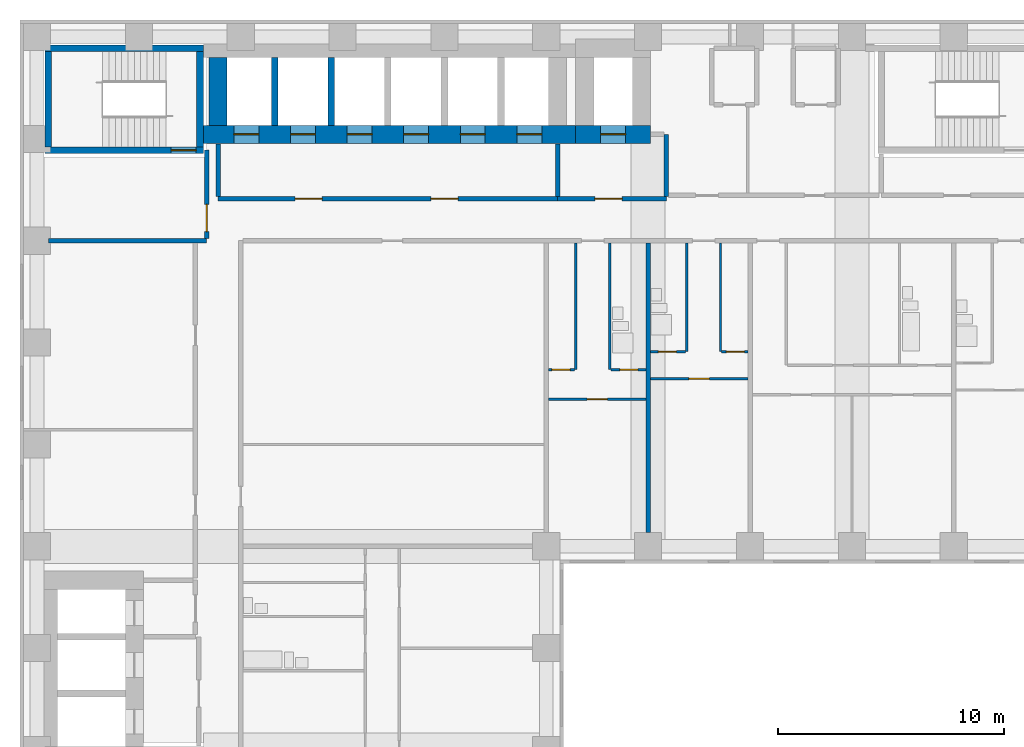
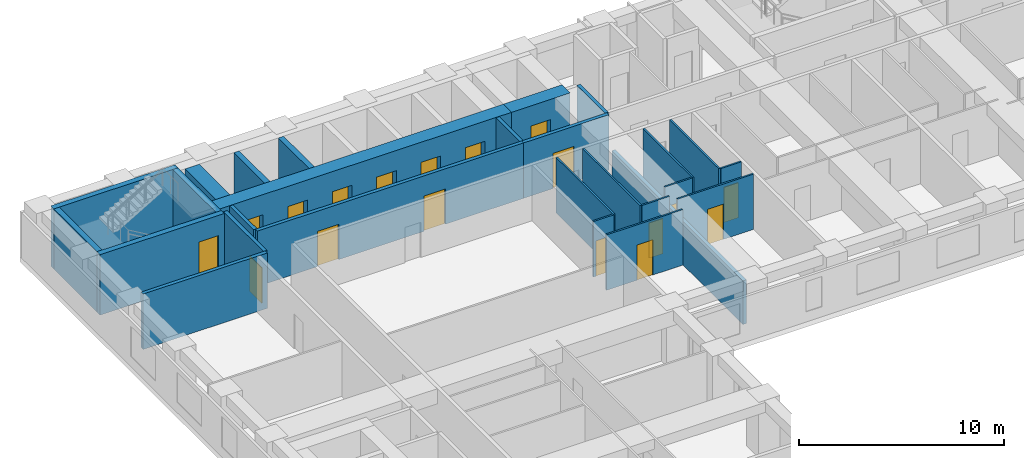
# One storey, part 5 of 12: 27 walls, 18 doors, 18 openings.
"""IFC4 building model written with IfcOpenShell, lengths in metres."""

from ifc_helpers import new_model, si_unit, direction, frame, frame_2d, origin, place, context, subcontext, project, spatial, rectangle, extrude, material, layer, layer_set, type_object, element, fill, save


model = new_model("IFC4")

# Units and contexts
model_context = context("Model", 3, precision=1e-05, world=origin(), true_north=direction((0.0, 1.0)))
body_context = subcontext(model_context, "Body", "Model", "MODEL_VIEW")
ifc_project = project(units=[si_unit("LENGTHUNIT", "METRE"), si_unit("AREAUNIT", "SQUARE_METRE"), si_unit("VOLUMEUNIT", "CUBIC_METRE"), si_unit("PLANEANGLEUNIT", "RADIAN"), si_unit("MASSUNIT", "GRAM", prefix="KILO")], contexts=[model_context])

# Site, building, storey
site_placement = place(None, origin())
site = spatial("IfcSite", under=ifc_project, at=site_placement, CompositionType="ELEMENT")
building_placement = place(site_placement, origin())
building = spatial("IfcBuilding", under=site, at=building_placement, Name="Firuza Court", CompositionType="ELEMENT")
storey_placement = place(building_placement, frame((0.0, 0.0, 39.800048828125)))
storey = spatial("IfcBuildingStorey", under=building, at=storey_placement, Name="L08", CompositionType="ELEMENT", Elevation=39.800048828125)

# Walls
ifc_material_1 = material(Name="Moisture-resistant gypsum board partition")
ifc_layer_1 = layer(ifc_material_1, 0.10009765625)
ifc_layer_set_1 = layer_set([ifc_layer_1], Name="Moisture-resistant gypsum board partition")
wall_type_1 = type_object("IfcWallType", Name="Bathroom partition 100", PredefinedType="PLUMBINGWALL", material=ifc_layer_set_1)
wall_1_placement = place(storey_placement, frame((25.300048828125, 43.800048828125, 0.0), z_axis=(0.0, 0.0, 1.0), x_axis=(0.0, 1.0, 0.0)))
element("IfcWall", 1, at=wall_1_placement, inside=storey, type_object=wall_type_1, Name="Bathroom partition 100 L08", PredefinedType="PLUMBINGWALL", context=body_context, shape_type="SweptSolid", body=[
    extrude(rectangle(XDim=5.599853515625, YDim=0.10009765625, at=frame_2d((2.7998046875, 0.0))), origin(), (0.0, 0.0, 1.0), 3.300048828125),
])
wall_2_placement = place(storey_placement, frame((28.699951171875, 44.60009765625, 0.0), z_axis=(0.0, 0.0, 1.0), x_axis=(0.0, 1.0, 0.0)))
element("IfcWall", 2, at=wall_2_placement, inside=storey, type_object=wall_type_1, Name="Bathroom partition 100 L08", PredefinedType="PLUMBINGWALL", context=body_context, shape_type="SweptSolid", body=[
    extrude(rectangle(XDim=4.7998046875, YDim=0.10009765625, at=frame_2d((2.39990234375, 0.0))), origin(), (0.0, 0.0, 1.0), 3.300048828125),
])

# Wall, opening, door
ifc_material_2 = material(Name="Concrete C60/75", Category="concrete")
ifc_layer_2 = layer(ifc_material_2, 0.300048828125)
ifc_layer_set_2 = layer_set([ifc_layer_2], Name="Concrete C60/75")
wall_type_2 = type_object("IfcWallType", Name="Core wall 300 C60/75", PredefinedType="SHEAR", material=ifc_layer_set_2)
wall_3_placement = place(storey_placement, frame((0.35009765625, 53.5, -0.300048828125), z_axis=(0.0, 0.0, 1.0), x_axis=(1.0, 0.0, 0.0)))
wall_3 = element("IfcWall", 3, at=wall_3_placement, inside=storey, type_object=wall_type_2, Name="Core wall stair L08", PredefinedType="SHEAR", context=body_context, shape_type="SweptSolid", body=[
    extrude(rectangle(XDim=7.0, YDim=0.300048828125, at=frame_2d((3.5, 0.0))), origin(), (0.0, 0.0, 1.0), 3.60009765625),
])
opening_1_placement = place(wall_3_placement, frame((5.580078125, 0.0, 0.300048828125)))
opening_1 = element("IfcOpeningElement", 4, at=opening_1_placement, cuts=wall_3, Name="Opening D08016", PredefinedType="OPENING", context=body_context, shape_type="SweptSolid", body=[
    extrude(rectangle(XDim=1.10009765625, YDim=2.10009765625, at=frame_2d((0.550048828125, 1.050048828125))), frame((0.0, 0.162109375, 0.0), z_axis=(0.0, -1.0, 0.0), x_axis=(1.0, 0.0, 0.0)), (0.0, 0.0, 1.0), 0.323974609375),
])
ifc_material_3 = material(Name="Timber door leaf in hardwood frame", Category="wood")
door_type_1 = type_object("IfcDoorType", Name="Stair door 1100", OperationType="SINGLE_SWING_LEFT", PredefinedType="DOOR", material=ifc_material_3)
door_1_placement = place(opening_1_placement, origin())
door_1 = element("IfcDoor", 5, at=door_1_placement, inside=storey, type_object=door_type_1, Name="Stair door S3", OperationType="SINGLE_SWING_RIGHT", OverallHeight=2.10009765625, OverallWidth=1.10009765625, PredefinedType="DOOR", context=body_context, shape_type="SweptSolid", body=[
    extrude(rectangle(XDim=1.10009765625, YDim=2.10009765625, at=frame_2d((0.550048828125, 1.050048828125))), frame((0.0, 0.02490234375, 0.0), z_axis=(0.0, -1.0, 0.0), x_axis=(1.0, 0.0, 0.0)), (0.0, 0.0, 1.0), 0.050048828125),
])
fill(opening_1, door_1)

# Walls
wall_4_placement = place(storey_placement, frame((0.35009765625, 58.0, -0.300048828125), z_axis=(0.0, 0.0, 1.0), x_axis=(1.0, 0.0, 0.0)))
element("IfcWall", 6, at=wall_4_placement, inside=storey, type_object=wall_type_2, Name="Core wall stair L08", PredefinedType="SHEAR", context=body_context, shape_type="SweptSolid", body=[
    extrude(rectangle(XDim=7.0, YDim=0.300048828125, at=frame_2d((3.5, 0.0))), origin(), (0.0, 0.0, 1.0), 3.60009765625),
])
for number, where, z_axis, x_axis, name in (
    (7, (0.5, 53.64990234375, -0.300048828125), (0.0, 0.0, 1.0), (0.0, 1.0, 0.0), "Core wall stair L08"),
    (8, (7.199951171875, 53.64990234375, -0.300048828125), (0.0, 0.0, 1.0), (0.0, 1.0, 0.0), "Core wall stair L08"),
):
    element("IfcWall", number, at=place(storey_placement, frame(where, z_axis=z_axis, x_axis=x_axis)), inside=storey, type_object=wall_type_2, Name=name, PredefinedType="SHEAR", context=body_context, shape_type="SweptSolid", body=[
        extrude(rectangle(XDim=4.2001953125, YDim=0.300048828125, at=frame_2d((2.10009765625, 0.0))), origin(), (0.0, 0.0, 1.0), 3.60009765625),
    ])
for number, where, z_axis, x_axis, name in (
    (9, (10.5, 54.60009765625, -0.300048828125), (0.0, 0.0, 1.0), (0.0, 1.0, 0.0), "Core wall lift shaft L08"),
    (10, (13.0, 54.60009765625, -0.300048828125), (0.0, 0.0, 1.0), (0.0, 1.0, 0.0), "Core wall lift shaft L08"),
):
    element("IfcWall", number, at=place(storey_placement, frame(where, z_axis=z_axis, x_axis=x_axis)), inside=storey, type_object=wall_type_2, Name=name, PredefinedType="SHEAR", context=body_context, shape_type="SweptSolid", body=[
        extrude(rectangle(XDim=3.0, YDim=0.300048828125, at=frame_2d((1.5, 0.0))), origin(), (0.0, 0.0, 1.0), 3.60009765625),
    ])

# Wall, openings, doors
ifc_layer_3 = layer(ifc_material_2, 0.800048828125)
ifc_layer_set_3 = layer_set([ifc_layer_3], Name="Concrete C60/75")
wall_type_3 = type_object("IfcWallType", Name="Core wall 800 C60/75", PredefinedType="SHEAR", material=ifc_layer_set_3)
wall_5_placement = place(storey_placement, frame((7.35009765625, 54.199951171875, -0.300048828125), z_axis=(0.0, 0.0, 1.0), x_axis=(1.0, 0.0, 0.0)))
wall_5 = element("IfcWall", 11, at=wall_5_placement, inside=storey, type_object=wall_type_3, Name="Core wall lift shaft L08", PredefinedType="SHEAR", context=body_context, shape_type="SweptSolid", body=[
    extrude(rectangle(XDim=16.449951171875, YDim=0.800048828125, at=frame_2d((8.22509765625, 0.0))), origin(), (0.0, 0.0, 1.0), 3.60009765625),
])
opening_2_placement = place(wall_5_placement, frame((1.35009765625, 0.0, 0.300048828125)))
opening_2 = element("IfcOpeningElement", 12, at=opening_2_placement, cuts=wall_5, Name="Opening LD-LB1-08", PredefinedType="OPENING", context=body_context, shape_type="SweptSolid", body=[
    extrude(rectangle(XDim=1.10009765625, YDim=2.10009765625, at=frame_2d((0.550048828125, 1.050048828125))), frame((0.0, 0.412109375, 0.0), z_axis=(0.0, -1.0, 0.0), x_axis=(1.0, 0.0, 0.0)), (0.0, 0.0, 1.0), 0.823974609375),
])
opening_3_placement = place(wall_5_placement, frame((3.85009765625, 0.0, 0.300048828125)))
opening_3 = element("IfcOpeningElement", 13, at=opening_3_placement, cuts=wall_5, Name="Opening LD-LB2-08", PredefinedType="OPENING", context=body_context, shape_type="SweptSolid", body=[
    extrude(rectangle(XDim=1.10009765625, YDim=2.10009765625, at=frame_2d((0.550048828125, 1.050048828125))), frame((0.0, 0.412109375, 0.0), z_axis=(0.0, -1.0, 0.0), x_axis=(1.0, 0.0, 0.0)), (0.0, 0.0, 1.0), 0.823974609375),
])
opening_4_placement = place(wall_5_placement, frame((6.35009765625, 0.0, 0.300048828125)))
opening_4 = element("IfcOpeningElement", 14, at=opening_4_placement, cuts=wall_5, Name="Opening LD-LB3-08", PredefinedType="OPENING", context=body_context, shape_type="SweptSolid", body=[
    extrude(rectangle(XDim=1.10009765625, YDim=2.10009765625, at=frame_2d((0.550048828125, 1.050048828125))), frame((0.0, 0.412109375, 0.0), z_axis=(0.0, -1.0, 0.0), x_axis=(1.0, 0.0, 0.0)), (0.0, 0.0, 1.0), 0.823974609375),
])
opening_5_placement = place(wall_5_placement, frame((8.85009765625, 0.0, 0.300048828125)))
opening_5 = element("IfcOpeningElement", 15, at=opening_5_placement, cuts=wall_5, Name="Opening LD-LB4-08", PredefinedType="OPENING", context=body_context, shape_type="SweptSolid", body=[
    extrude(rectangle(XDim=1.10009765625, YDim=2.10009765625, at=frame_2d((0.550048828125, 1.050048828125))), frame((0.0, 0.412109375, 0.0), z_axis=(0.0, -1.0, 0.0), x_axis=(1.0, 0.0, 0.0)), (0.0, 0.0, 1.0), 0.823974609375),
])
opening_6_placement = place(wall_5_placement, frame((11.35009765625, 0.0, 0.300048828125)))
opening_6 = element("IfcOpeningElement", 16, at=opening_6_placement, cuts=wall_5, Name="Opening LD-LB5-08", PredefinedType="OPENING", context=body_context, shape_type="SweptSolid", body=[
    extrude(rectangle(XDim=1.10009765625, YDim=2.10009765625, at=frame_2d((0.550048828125, 1.050048828125))), frame((0.0, 0.412109375, 0.0), z_axis=(0.0, -1.0, 0.0), x_axis=(1.0, 0.0, 0.0)), (0.0, 0.0, 1.0), 0.823974609375),
])
opening_7_placement = place(wall_5_placement, frame((13.85009765625, 0.0, 0.300048828125)))
opening_7 = element("IfcOpeningElement", 17, at=opening_7_placement, cuts=wall_5, Name="Opening LD-LB6-08", PredefinedType="OPENING", context=body_context, shape_type="SweptSolid", body=[
    extrude(rectangle(XDim=1.10009765625, YDim=2.10009765625, at=frame_2d((0.550048828125, 1.050048828125))), frame((0.0, 0.412109375, 0.0), z_axis=(0.0, -1.0, 0.0), x_axis=(1.0, 0.0, 0.0)), (0.0, 0.0, 1.0), 0.823974609375),
])
ifc_material_4 = material(Name="Stainless steel 1.4301 door leaf", Category="steel")
door_type_2 = type_object("IfcDoorType", Name="Lift landing door 1100", OperationType="SLIDING_TO_LEFT", PredefinedType="DOOR", material=ifc_material_4)
door_2_placement = place(opening_2_placement, origin())
door_2 = element("IfcDoor", 18, at=door_2_placement, inside=storey, type_object=door_type_2, Name="Landing door LB1", OperationType="SLIDING_TO_LEFT", OverallHeight=2.10009765625, OverallWidth=1.10009765625, PredefinedType="DOOR", context=body_context, shape_type="SweptSolid", body=[
    extrude(rectangle(XDim=1.10009765625, YDim=2.10009765625, at=frame_2d((0.550048828125, 1.050048828125))), frame((0.0, 0.02490234375, 0.0), z_axis=(0.0, -1.0, 0.0), x_axis=(1.0, 0.0, 0.0)), (0.0, 0.0, 1.0), 0.050048828125),
])
fill(opening_2, door_2)
door_3_placement = place(opening_3_placement, origin())
door_3 = element("IfcDoor", 19, at=door_3_placement, inside=storey, type_object=door_type_2, Name="Landing door LB2", OperationType="SLIDING_TO_LEFT", OverallHeight=2.10009765625, OverallWidth=1.10009765625, PredefinedType="DOOR", context=body_context, shape_type="SweptSolid", body=[
    extrude(rectangle(XDim=1.10009765625, YDim=2.10009765625, at=frame_2d((0.550048828125, 1.050048828125))), frame((0.0, 0.02490234375, 0.0), z_axis=(0.0, -1.0, 0.0), x_axis=(1.0, 0.0, 0.0)), (0.0, 0.0, 1.0), 0.050048828125),
])
fill(opening_3, door_3)
door_4_placement = place(opening_4_placement, origin())
door_4 = element("IfcDoor", 20, at=door_4_placement, inside=storey, type_object=door_type_2, Name="Landing door LB3", OperationType="SLIDING_TO_LEFT", OverallHeight=2.10009765625, OverallWidth=1.10009765625, PredefinedType="DOOR", context=body_context, shape_type="SweptSolid", body=[
    extrude(rectangle(XDim=1.10009765625, YDim=2.10009765625, at=frame_2d((0.550048828125, 1.050048828125))), frame((0.0, 0.02490234375, 0.0), z_axis=(0.0, -1.0, 0.0), x_axis=(1.0, 0.0, 0.0)), (0.0, 0.0, 1.0), 0.050048828125),
])
fill(opening_4, door_4)
door_5_placement = place(opening_5_placement, origin())
door_5 = element("IfcDoor", 21, at=door_5_placement, inside=storey, type_object=door_type_2, Name="Landing door LB4", OperationType="SLIDING_TO_LEFT", OverallHeight=2.10009765625, OverallWidth=1.10009765625, PredefinedType="DOOR", context=body_context, shape_type="SweptSolid", body=[
    extrude(rectangle(XDim=1.10009765625, YDim=2.10009765625, at=frame_2d((0.550048828125, 1.050048828125))), frame((0.0, 0.02490234375, 0.0), z_axis=(0.0, -1.0, 0.0), x_axis=(1.0, 0.0, 0.0)), (0.0, 0.0, 1.0), 0.050048828125),
])
fill(opening_5, door_5)
door_6_placement = place(opening_6_placement, origin())
door_6 = element("IfcDoor", 22, at=door_6_placement, inside=storey, type_object=door_type_2, Name="Landing door LB5", OperationType="SLIDING_TO_LEFT", OverallHeight=2.10009765625, OverallWidth=1.10009765625, PredefinedType="DOOR", context=body_context, shape_type="SweptSolid", body=[
    extrude(rectangle(XDim=1.10009765625, YDim=2.10009765625, at=frame_2d((0.550048828125, 1.050048828125))), frame((0.0, 0.02490234375, 0.0), z_axis=(0.0, -1.0, 0.0), x_axis=(1.0, 0.0, 0.0)), (0.0, 0.0, 1.0), 0.050048828125),
])
fill(opening_6, door_6)
door_7_placement = place(opening_7_placement, origin())
door_7 = element("IfcDoor", 23, at=door_7_placement, inside=storey, type_object=door_type_2, Name="Landing door LB6", OperationType="SLIDING_TO_LEFT", OverallHeight=2.10009765625, OverallWidth=1.10009765625, PredefinedType="DOOR", context=body_context, shape_type="SweptSolid", body=[
    extrude(rectangle(XDim=1.10009765625, YDim=2.10009765625, at=frame_2d((0.550048828125, 1.050048828125))), frame((0.0, 0.02490234375, 0.0), z_axis=(0.0, -1.0, 0.0), x_axis=(1.0, 0.0, 0.0)), (0.0, 0.0, 1.0), 0.050048828125),
])
fill(opening_7, door_7)

# Wall
wall_6_placement = place(storey_placement, frame((8.0, 54.60009765625, -0.300048828125), z_axis=(0.0, 0.0, 1.0), x_axis=(0.0, 1.0, 0.0)))
element("IfcWall", 24, at=wall_6_placement, inside=storey, type_object=wall_type_3, Name="Core wall lift shaft L08", PredefinedType="SHEAR", context=body_context, shape_type="SweptSolid", body=[
    extrude(rectangle(XDim=3.0, YDim=0.800048828125, at=frame_2d((1.5, 0.0))), origin(), (0.0, 0.0, 1.0), 3.60009765625),
])

# Wall, opening, door
wall_7_placement = place(storey_placement, frame((23.800048828125, 54.199951171875, -0.300048828125), z_axis=(0.0, 0.0, 1.0), x_axis=(1.0, 0.0, 0.0)))
wall_7 = element("IfcWall", 25, at=wall_7_placement, inside=storey, type_object=wall_type_3, Name="Core wall lift shaft L08", PredefinedType="SHEAR", context=body_context, shape_type="SweptSolid", body=[
    extrude(rectangle(XDim=3.300048828125, YDim=0.800048828125, at=frame_2d((1.64990234375, 0.0))), origin(), (0.0, 0.0, 1.0), 3.60009765625),
])
opening_8_placement = place(wall_7_placement, frame((1.10009765625, 0.0, 0.300048828125)))
opening_8 = element("IfcOpeningElement", 26, at=opening_8_placement, cuts=wall_7, Name="Opening LD-FL3-08", PredefinedType="OPENING", context=body_context, shape_type="SweptSolid", body=[
    extrude(rectangle(XDim=1.10009765625, YDim=2.10009765625, at=frame_2d((0.550048828125, 1.050048828125))), frame((0.0, 0.412109375, 0.0), z_axis=(0.0, -1.0, 0.0), x_axis=(1.0, 0.0, 0.0)), (0.0, 0.0, 1.0), 0.823974609375),
])
door_8_placement = place(opening_8_placement, origin())
door_8 = element("IfcDoor", 27, at=door_8_placement, inside=storey, type_object=door_type_2, Name="Landing door FL3", OperationType="SLIDING_TO_LEFT", OverallHeight=2.10009765625, OverallWidth=1.10009765625, PredefinedType="DOOR", context=body_context, shape_type="SweptSolid", body=[
    extrude(rectangle(XDim=1.10009765625, YDim=2.10009765625, at=frame_2d((0.550048828125, 1.050048828125))), frame((0.0, 0.02490234375, 0.0), z_axis=(0.0, -1.0, 0.0), x_axis=(1.0, 0.0, 0.0)), (0.0, 0.0, 1.0), 0.050048828125),
])
fill(opening_8, door_8)

ifc_material_5 = material(Name="Timber stud partition, plasterboard both sides", Category="wood")
ifc_layer_4 = layer(ifc_material_5, 0.10009765625)
ifc_layer_set_4 = layer_set([ifc_layer_4], Name="Timber stud partition, plasterboard both sides")
wall_type_4 = type_object("IfcWallType", Name="Partition wall 100", PredefinedType="PARTITIONING", material=ifc_layer_set_4)
wall_8_placement = place(storey_placement, frame((22.60009765625, 42.5, 0.0), z_axis=(0.0, 0.0, 1.0), x_axis=(1.0, 0.0, 0.0)))
wall_8 = element("IfcWall", 28, at=wall_8_placement, inside=storey, type_object=wall_type_4, Name="Partition wall 100 L08", PredefinedType="PARTITIONING", context=body_context, shape_type="SweptSolid", body=[
    extrude(rectangle(XDim=4.2998046875, YDim=0.10009765625, at=frame_2d((2.14990234375, 0.0))), origin(), (0.0, 0.0, 1.0), 3.300048828125),
])
opening_9_placement = place(wall_8_placement, frame((1.699951171875, 0.0, 0.0)))
opening_9 = element("IfcOpeningElement", 29, at=opening_9_placement, cuts=wall_8, Name="Opening D08048", PredefinedType="OPENING", context=body_context, shape_type="SweptSolid", body=[
    extrude(rectangle(XDim=0.89990234375, YDim=2.10009765625, at=frame_2d((0.449951171875, 1.050048828125))), frame((0.0, 0.06201171875, 0.0), z_axis=(0.0, -1.0, 0.0), x_axis=(1.0, 0.0, 0.0)), (0.0, 0.0, 1.0), 0.1240234375),
])
ifc_material_6 = material(Name="Timber door leaf in hardwood frame", Category="wood")
door_type_3 = type_object("IfcDoorType", Name="Room door 900", OperationType="SINGLE_SWING_LEFT", PredefinedType="DOOR", material=ifc_material_6)
door_9_placement = place(opening_9_placement, frame((0.89990234375, 0.0, 0.0), z_axis=(0.0, 0.0, 1.0), x_axis=(-1.0, 0.0, 0.0)))
door_9 = element("IfcDoor", 30, at=door_9_placement, inside=storey, type_object=door_type_3, Name="Studio room door", OperationType="SINGLE_SWING_RIGHT", OverallHeight=2.10009765625, OverallWidth=0.89990234375, PredefinedType="DOOR", context=body_context, shape_type="SweptSolid", body=[
    extrude(rectangle(XDim=0.89990234375, YDim=2.10009765625, at=frame_2d((0.449951171875, 1.050048828125))), frame((0.0, 0.02490234375, 0.0), z_axis=(0.0, -1.0, 0.0), x_axis=(1.0, 0.0, 0.0)), (0.0, 0.0, 1.0), 0.050048828125),
])
fill(opening_9, door_9)

wall_9_placement = place(storey_placement, frame((27.10009765625, 43.39990234375, 0.0), z_axis=(0.0, 0.0, 1.0), x_axis=(1.0, 0.0, 0.0)))
wall_9 = element("IfcWall", 31, at=wall_9_placement, inside=storey, type_object=wall_type_4, Name="Partition wall 100 L08", PredefinedType="PARTITIONING", context=body_context, shape_type="SweptSolid", body=[
    extrude(rectangle(XDim=4.2998046875, YDim=0.10009765625, at=frame_2d((2.14990234375, 0.0))), origin(), (0.0, 0.0, 1.0), 3.300048828125),
])
opening_10_placement = place(wall_9_placement, frame((1.699951171875, 0.0, 0.0)))
opening_10 = element("IfcOpeningElement", 32, at=opening_10_placement, cuts=wall_9, Name="Opening D08052", PredefinedType="OPENING", context=body_context, shape_type="SweptSolid", body=[
    extrude(rectangle(XDim=0.89990234375, YDim=2.10009765625, at=frame_2d((0.449951171875, 1.050048828125))), frame((0.0, 0.06201171875, 0.0), z_axis=(0.0, -1.0, 0.0), x_axis=(1.0, 0.0, 0.0)), (0.0, 0.0, 1.0), 0.1240234375),
])
door_10_placement = place(opening_10_placement, frame((0.89990234375, 0.0, 0.0), z_axis=(0.0, 0.0, 1.0), x_axis=(-1.0, 0.0, 0.0)))
door_10 = element("IfcDoor", 33, at=door_10_placement, inside=storey, type_object=door_type_3, Name="Studio room door", OperationType="SINGLE_SWING_RIGHT", OverallHeight=2.10009765625, OverallWidth=0.89990234375, PredefinedType="DOOR", context=body_context, shape_type="SweptSolid", body=[
    extrude(rectangle(XDim=0.89990234375, YDim=2.10009765625, at=frame_2d((0.449951171875, 1.050048828125))), frame((0.0, 0.02490234375, 0.0), z_axis=(0.0, -1.0, 0.0), x_axis=(1.0, 0.0, 0.0)), (0.0, 0.0, 1.0), 0.050048828125),
])
fill(opening_10, door_10)

wall_10_placement = place(storey_placement, frame((22.60009765625, 43.800048828125, 0.0), z_axis=(0.0, 0.0, 1.0), x_axis=(1.0, 0.0, 0.0)))
wall_10 = element("IfcWall", 34, at=wall_10_placement, inside=storey, type_object=wall_type_4, Name="Partition wall 100 L08", PredefinedType="PARTITIONING", context=body_context, shape_type="SweptSolid", body=[
    extrude(rectangle(XDim=1.14990234375, YDim=0.10009765625, at=frame_2d((0.574951171875, 0.0))), origin(), (0.0, 0.0, 1.0), 3.300048828125),
])
opening_11_placement = place(wall_10_placement, frame((0.14990234375, 0.0, 0.0)))
opening_11 = element("IfcOpeningElement", 35, at=opening_11_placement, cuts=wall_10, Name="Opening D08053", PredefinedType="OPENING", context=body_context, shape_type="SweptSolid", body=[
    extrude(rectangle(XDim=0.800048828125, YDim=2.10009765625, at=frame_2d((0.39990234375, 1.050048828125))), frame((0.0, 0.06201171875, 0.0), z_axis=(0.0, -1.0, 0.0), x_axis=(1.0, 0.0, 0.0)), (0.0, 0.0, 1.0), 0.1240234375),
])
ifc_material_7 = material(Name="Timber door leaf in hardwood frame", Category="wood")
door_type_4 = type_object("IfcDoorType", Name="Room door 800", OperationType="SINGLE_SWING_LEFT", PredefinedType="DOOR", material=ifc_material_7)
door_11_placement = place(opening_11_placement, origin())
door_11 = element("IfcDoor", 36, at=door_11_placement, inside=storey, type_object=door_type_4, Name="Kitchen door", OperationType="SINGLE_SWING_LEFT", OverallHeight=2.10009765625, OverallWidth=0.800048828125, PredefinedType="DOOR", context=body_context, shape_type="SweptSolid", body=[
    extrude(rectangle(XDim=0.800048828125, YDim=2.10009765625, at=frame_2d((0.39990234375, 1.050048828125))), frame((0.0, 0.02490234375, 0.0), z_axis=(0.0, -1.0, 0.0), x_axis=(1.0, 0.0, 0.0)), (0.0, 0.0, 1.0), 0.050048828125),
])
fill(opening_11, door_11)

# Wall
wall_11_placement = place(storey_placement, frame((23.800048828125, 43.800048828125, 0.0), z_axis=(0.0, 0.0, 1.0), x_axis=(0.0, 1.0, 0.0)))
element("IfcWall", 37, at=wall_11_placement, inside=storey, type_object=wall_type_4, Name="Partition wall 100 L08", PredefinedType="PARTITIONING", context=body_context, shape_type="SweptSolid", body=[
    extrude(rectangle(XDim=5.599853515625, YDim=0.10009765625, at=frame_2d((2.7998046875, 0.0))), origin(), (0.0, 0.0, 1.0), 3.300048828125),
])

# Wall, opening, door
wall_12_placement = place(storey_placement, frame((25.35009765625, 43.800048828125, 0.0), z_axis=(0.0, 0.0, 1.0), x_axis=(1.0, 0.0, 0.0)))
wall_12 = element("IfcWall", 38, at=wall_12_placement, inside=storey, type_object=wall_type_4, Name="Partition wall 100 L08", PredefinedType="PARTITIONING", context=body_context, shape_type="SweptSolid", body=[
    extrude(rectangle(XDim=1.5498046875, YDim=0.10009765625, at=frame_2d((0.77490234375, 0.0))), origin(), (0.0, 0.0, 1.0), 3.300048828125),
])
opening_12_placement = place(wall_12_placement, frame((0.39990234375, 0.0, 0.0)))
opening_12 = element("IfcOpeningElement", 39, at=opening_12_placement, cuts=wall_12, Name="Opening D08054", PredefinedType="OPENING", context=body_context, shape_type="SweptSolid", body=[
    extrude(rectangle(XDim=0.800048828125, YDim=2.10009765625, at=frame_2d((0.39990234375, 1.050048828125))), frame((0.0, 0.06201171875, 0.0), z_axis=(0.0, -1.0, 0.0), x_axis=(1.0, 0.0, 0.0)), (0.0, 0.0, 1.0), 0.1240234375),
])
ifc_material_8 = material(Name="Timber door leaf in hardwood frame", Category="wood")
door_type_5 = type_object("IfcDoorType", Name="Bathroom door 800", OperationType="SINGLE_SWING_LEFT", PredefinedType="DOOR", material=ifc_material_8)
door_12_placement = place(opening_12_placement, origin())
door_12 = element("IfcDoor", 40, at=door_12_placement, inside=storey, type_object=door_type_5, Name="Bathroom door", OperationType="SINGLE_SWING_LEFT", OverallHeight=2.10009765625, OverallWidth=0.800048828125, PredefinedType="DOOR", context=body_context, shape_type="SweptSolid", body=[
    extrude(rectangle(XDim=0.800048828125, YDim=2.10009765625, at=frame_2d((0.39990234375, 1.050048828125))), frame((0.0, 0.02490234375, 0.0), z_axis=(0.0, -1.0, 0.0), x_axis=(1.0, 0.0, 0.0)), (0.0, 0.0, 1.0), 0.050048828125),
])
fill(opening_12, door_12)

wall_13_placement = place(storey_placement, frame((27.10009765625, 44.60009765625, 0.0), z_axis=(0.0, 0.0, 1.0), x_axis=(1.0, 0.0, 0.0)))
wall_13 = element("IfcWall", 41, at=wall_13_placement, inside=storey, type_object=wall_type_4, Name="Partition wall 100 L08", PredefinedType="PARTITIONING", context=body_context, shape_type="SweptSolid", body=[
    extrude(rectangle(XDim=1.5498046875, YDim=0.10009765625, at=frame_2d((0.77490234375, 0.0))), origin(), (0.0, 0.0, 1.0), 3.300048828125),
])
opening_13_placement = place(wall_13_placement, frame((0.35009765625, 0.0, 0.0)))
opening_13 = element("IfcOpeningElement", 42, at=opening_13_placement, cuts=wall_13, Name="Opening D08065", PredefinedType="OPENING", context=body_context, shape_type="SweptSolid", body=[
    extrude(rectangle(XDim=0.800048828125, YDim=2.10009765625, at=frame_2d((0.39990234375, 1.050048828125))), frame((0.0, 0.06201171875, 0.0), z_axis=(0.0, -1.0, 0.0), x_axis=(1.0, 0.0, 0.0)), (0.0, 0.0, 1.0), 0.1240234375),
])
door_13_placement = place(opening_13_placement, origin())
door_13 = element("IfcDoor", 43, at=door_13_placement, inside=storey, type_object=door_type_5, Name="Bathroom door", OperationType="SINGLE_SWING_LEFT", OverallHeight=2.10009765625, OverallWidth=0.800048828125, PredefinedType="DOOR", context=body_context, shape_type="SweptSolid", body=[
    extrude(rectangle(XDim=0.800048828125, YDim=2.10009765625, at=frame_2d((0.39990234375, 1.050048828125))), frame((0.0, 0.02490234375, 0.0), z_axis=(0.0, -1.0, 0.0), x_axis=(1.0, 0.0, 0.0)), (0.0, 0.0, 1.0), 0.050048828125),
])
fill(opening_13, door_13)

# Wall
wall_14_placement = place(storey_placement, frame((30.199951171875, 44.60009765625, 0.0), z_axis=(0.0, 0.0, 1.0), x_axis=(0.0, 1.0, 0.0)))
element("IfcWall", 44, at=wall_14_placement, inside=storey, type_object=wall_type_4, Name="Partition wall 100 L08", PredefinedType="PARTITIONING", context=body_context, shape_type="SweptSolid", body=[
    extrude(rectangle(XDim=4.7998046875, YDim=0.10009765625, at=frame_2d((2.39990234375, 0.0))), origin(), (0.0, 0.0, 1.0), 3.300048828125),
])

# Wall, opening, door
wall_15_placement = place(storey_placement, frame((30.25, 44.60009765625, 0.0), z_axis=(0.0, 0.0, 1.0), x_axis=(1.0, 0.0, 0.0)))
wall_15 = element("IfcWall", 45, at=wall_15_placement, inside=storey, type_object=wall_type_4, Name="Partition wall 100 L08", PredefinedType="PARTITIONING", context=body_context, shape_type="SweptSolid", body=[
    extrude(rectangle(XDim=1.14990234375, YDim=0.10009765625, at=frame_2d((0.574951171875, 0.0))), origin(), (0.0, 0.0, 1.0), 3.300048828125),
])
opening_14_placement = place(wall_15_placement, frame((0.199951171875, 0.0, 0.0)))
opening_14 = element("IfcOpeningElement", 46, at=opening_14_placement, cuts=wall_15, Name="Opening D08066", PredefinedType="OPENING", context=body_context, shape_type="SweptSolid", body=[
    extrude(rectangle(XDim=0.800048828125, YDim=2.10009765625, at=frame_2d((0.39990234375, 1.050048828125))), frame((0.0, 0.06201171875, 0.0), z_axis=(0.0, -1.0, 0.0), x_axis=(1.0, 0.0, 0.0)), (0.0, 0.0, 1.0), 0.1240234375),
])
door_14_placement = place(opening_14_placement, origin())
door_14 = element("IfcDoor", 47, at=door_14_placement, inside=storey, type_object=door_type_4, Name="Kitchen door", OperationType="SINGLE_SWING_LEFT", OverallHeight=2.10009765625, OverallWidth=0.800048828125, PredefinedType="DOOR", context=body_context, shape_type="SweptSolid", body=[
    extrude(rectangle(XDim=0.800048828125, YDim=2.10009765625, at=frame_2d((0.39990234375, 1.050048828125))), frame((0.0, 0.02490234375, 0.0), z_axis=(0.0, -1.0, 0.0), x_axis=(1.0, 0.0, 0.0)), (0.0, 0.0, 1.0), 0.050048828125),
])
fill(opening_14, door_14)

# Wall
ifc_material_9 = material(Name="Blockwork, plastered both sides", Category="masonry")
ifc_layer_5 = layer(ifc_material_9, 0.199951171875)
ifc_layer_set_5 = layer_set([ifc_layer_5], Name="Blockwork, plastered both sides")
wall_type_5 = type_object("IfcWallType", Name="Party wall 200", PredefinedType="PARTITIONING", material=ifc_layer_set_5)
wall_16_placement = place(storey_placement, frame((27.0, 36.60009765625, 0.0), z_axis=(0.0, 0.0, 1.0), x_axis=(0.0, 1.0, 0.0)))
element("IfcWall", 48, at=wall_16_placement, inside=storey, type_object=wall_type_5, Name="Party wall 200 L08", PredefinedType="PARTITIONING", context=body_context, shape_type="SweptSolid", body=[
    extrude(rectangle(XDim=12.7998046875, YDim=0.199951171875, at=frame_2d((6.39990234375, 0.0))), origin(), (0.0, 0.0, 1.0), 2.599853515625),
])

# Wall, openings, doors
ifc_material_10 = material(Name="Blockwork, fire-rated", Category="masonry")
ifc_layer_6 = layer(ifc_material_10, 0.199951171875)
ifc_layer_set_6 = layer_set([ifc_layer_6], Name="Blockwork, fire-rated")
wall_type_6 = type_object("IfcWallType", Name="Shaft wall 200", PredefinedType="PARTITIONING", material=ifc_layer_set_6)
wall_17_placement = place(storey_placement, frame((8.0, 51.35009765625, 0.0), z_axis=(0.0, 0.0, 1.0), x_axis=(1.0, 0.0, 0.0)))
wall_17 = element("IfcWall", 49, at=wall_17_placement, inside=storey, type_object=wall_type_6, Name="Shaft wall 200 L08", PredefinedType="PARTITIONING", context=body_context, shape_type="SweptSolid", body=[
    extrude(rectangle(XDim=15.0, YDim=0.199951171875, at=frame_2d((7.5, 0.0))), origin(), (0.0, 0.0, 1.0), 3.300048828125),
])
opening_15_placement = place(wall_17_placement, frame((3.39990234375, 0.0, 0.0)))
opening_15 = element("IfcOpeningElement", 50, at=opening_15_placement, cuts=wall_17, Name="Opening D08004", PredefinedType="OPENING", context=body_context, shape_type="SweptSolid", body=[
    extrude(rectangle(XDim=1.199951171875, YDim=2.10009765625, at=frame_2d((0.60009765625, 1.050048828125))), frame((0.0, 0.11181640625, 0.0), z_axis=(0.0, -1.0, 0.0), x_axis=(1.0, 0.0, 0.0)), (0.0, 0.0, 1.0), 0.223876953125),
])
opening_16_placement = place(wall_17_placement, frame((9.39990234375, 0.0, 0.0)))
opening_16 = element("IfcOpeningElement", 51, at=opening_16_placement, cuts=wall_17, Name="Opening D08005", PredefinedType="OPENING", context=body_context, shape_type="SweptSolid", body=[
    extrude(rectangle(XDim=1.199951171875, YDim=2.10009765625, at=frame_2d((0.60009765625, 1.050048828125))), frame((0.0, 0.11181640625, 0.0), z_axis=(0.0, -1.0, 0.0), x_axis=(1.0, 0.0, 0.0)), (0.0, 0.0, 1.0), 0.223876953125),
])
ifc_material_11 = material(Name="Timber door leaf in hardwood frame", Category="wood")
door_type_6 = type_object("IfcDoorType", Name="Lobby door 1200", OperationType="SINGLE_SWING_LEFT", PredefinedType="DOOR", material=ifc_material_11)
door_15_placement = place(opening_15_placement, origin())
door_15 = element("IfcDoor", 52, at=door_15_placement, inside=storey, type_object=door_type_6, Name="Lobby door", OperationType="SINGLE_SWING_LEFT", OverallHeight=2.10009765625, OverallWidth=1.199951171875, PredefinedType="DOOR", context=body_context, shape_type="SweptSolid", body=[
    extrude(rectangle(XDim=1.199951171875, YDim=2.10009765625, at=frame_2d((0.60009765625, 1.050048828125))), frame((0.0, 0.02490234375, 0.0), z_axis=(0.0, -1.0, 0.0), x_axis=(1.0, 0.0, 0.0)), (0.0, 0.0, 1.0), 0.050048828125),
])
fill(opening_15, door_15)
door_16_placement = place(opening_16_placement, origin())
door_16 = element("IfcDoor", 53, at=door_16_placement, inside=storey, type_object=door_type_6, Name="Lobby door", OperationType="SINGLE_SWING_RIGHT", OverallHeight=2.10009765625, OverallWidth=1.199951171875, PredefinedType="DOOR", context=body_context, shape_type="SweptSolid", body=[
    extrude(rectangle(XDim=1.199951171875, YDim=2.10009765625, at=frame_2d((0.60009765625, 1.050048828125))), frame((0.0, 0.02490234375, 0.0), z_axis=(0.0, -1.0, 0.0), x_axis=(1.0, 0.0, 0.0)), (0.0, 0.0, 1.0), 0.050048828125),
])
fill(opening_16, door_16)

# Walls
for number, where, z_axis, x_axis, name in (
    (54, (23.0, 51.449951171875, 0.0), (0.0, 0.0, 1.0), (0.0, 1.0, 0.0), "Shaft wall 200 L08"),
    (55, (8.0, 51.449951171875, 0.0), (0.0, 0.0, 1.0), (0.0, 1.0, 0.0), "Shaft wall 200 L08"),
):
    element("IfcWall", number, at=place(storey_placement, frame(where, z_axis=z_axis, x_axis=x_axis)), inside=storey, type_object=wall_type_6, Name=name, PredefinedType="PARTITIONING", context=body_context, shape_type="SweptSolid", body=[
        extrude(rectangle(XDim=2.330078125, YDim=0.199951171875, at=frame_2d((1.1650390625, 0.0))), origin(), (0.0, 0.0, 1.0), 3.300048828125),
    ])

# Wall, opening, door
wall_18_placement = place(storey_placement, frame((23.0, 51.35009765625, 0.0), z_axis=(0.0, 0.0, 1.0), x_axis=(1.0, 0.0, 0.0)))
wall_18 = element("IfcWall", 56, at=wall_18_placement, inside=storey, type_object=wall_type_6, Name="Shaft wall 200 L08", PredefinedType="PARTITIONING", context=body_context, shape_type="SweptSolid", body=[
    extrude(rectangle(XDim=4.800048828125, YDim=0.199951171875, at=frame_2d((2.39990234375, 0.0))), origin(), (0.0, 0.0, 1.0), 3.300048828125),
])
opening_17_placement = place(wall_18_placement, frame((1.64990234375, 0.0, 0.0)))
opening_17 = element("IfcOpeningElement", 57, at=opening_17_placement, cuts=wall_18, Name="Opening D08003", PredefinedType="OPENING", context=body_context, shape_type="SweptSolid", body=[
    extrude(rectangle(XDim=1.199951171875, YDim=2.10009765625, at=frame_2d((0.60009765625, 1.050048828125))), frame((0.0, 0.11181640625, 0.0), z_axis=(0.0, -1.0, 0.0), x_axis=(1.0, 0.0, 0.0)), (0.0, 0.0, 1.0), 0.223876953125),
])
door_17_placement = place(opening_17_placement, origin())
door_17 = element("IfcDoor", 58, at=door_17_placement, inside=storey, type_object=door_type_6, Name="Fire-fighting lobby door", OperationType="SINGLE_SWING_LEFT", OverallHeight=2.10009765625, OverallWidth=1.199951171875, PredefinedType="DOOR", context=body_context, shape_type="SweptSolid", body=[
    extrude(rectangle(XDim=1.199951171875, YDim=2.10009765625, at=frame_2d((0.60009765625, 1.050048828125))), frame((0.0, 0.02490234375, 0.0), z_axis=(0.0, -1.0, 0.0), x_axis=(1.0, 0.0, 0.0)), (0.0, 0.0, 1.0), 0.050048828125),
])
fill(opening_17, door_17)

# Walls
wall_19_placement = place(storey_placement, frame((27.800048828125, 51.449951171875, 0.0), z_axis=(0.0, 0.0, 1.0), x_axis=(0.0, 1.0, 0.0)))
element("IfcWall", 59, at=wall_19_placement, inside=storey, type_object=wall_type_6, Name="Shaft wall 200 L08", PredefinedType="PARTITIONING", context=body_context, shape_type="SweptSolid", body=[
    extrude(rectangle(XDim=2.75, YDim=0.199951171875, at=frame_2d((1.375, 0.0))), origin(), (0.0, 0.0, 1.0), 3.300048828125),
])
wall_20_placement = place(storey_placement, frame((0.5, 49.5, 0.0), z_axis=(0.0, 0.0, 1.0), x_axis=(1.0, 0.0, 0.0)))
element("IfcWall", 60, at=wall_20_placement, inside=storey, type_object=wall_type_6, Name="Shaft wall 200 L08", PredefinedType="PARTITIONING", context=body_context, shape_type="SweptSolid", body=[
    extrude(rectangle(XDim=7.0, YDim=0.199951171875, at=frame_2d((3.5, 0.0))), origin(), (0.0, 0.0, 1.0), 3.300048828125),
])

# Wall, opening, door
wall_21_placement = place(storey_placement, frame((7.5, 49.60009765625, 0.0), z_axis=(0.0, 0.0, 1.0), x_axis=(0.0, 1.0, 0.0)))
wall_21 = element("IfcWall", 61, at=wall_21_placement, inside=storey, type_object=wall_type_6, Name="Shaft wall 200 L08", PredefinedType="PARTITIONING", context=body_context, shape_type="SweptSolid", body=[
    extrude(rectangle(XDim=3.89990234375, YDim=0.199951171875, at=frame_2d((1.949951171875, 0.0))), origin(), (0.0, 0.0, 1.0), 3.300048828125),
])
opening_18_placement = place(wall_21_placement, frame((0.300048828125, 0.0, 0.0)))
opening_18 = element("IfcOpeningElement", 62, at=opening_18_placement, cuts=wall_21, Name="Opening D08001", PredefinedType="OPENING", context=body_context, shape_type="SweptSolid", body=[
    extrude(rectangle(XDim=1.199951171875, YDim=2.10009765625, at=frame_2d((0.60009765625, 1.050048828125))), frame((0.0, 0.11181640625, 0.0), z_axis=(0.0, -1.0, 0.0), x_axis=(1.0, 0.0, 0.0)), (0.0, 0.0, 1.0), 0.223876953125),
])
door_18_placement = place(opening_18_placement, origin())
door_18 = element("IfcDoor", 63, at=door_18_placement, inside=storey, type_object=door_type_6, Name="Lobby door", OperationType="SINGLE_SWING_LEFT", OverallHeight=2.10009765625, OverallWidth=1.199951171875, PredefinedType="DOOR", context=body_context, shape_type="SweptSolid", body=[
    extrude(rectangle(XDim=1.199951171875, YDim=2.10009765625, at=frame_2d((0.60009765625, 1.050048828125))), frame((0.0, 0.02490234375, 0.0), z_axis=(0.0, -1.0, 0.0), x_axis=(1.0, 0.0, 0.0)), (0.0, 0.0, 1.0), 0.050048828125),
])
fill(opening_18, door_18)

save(model, "model.ifc")
